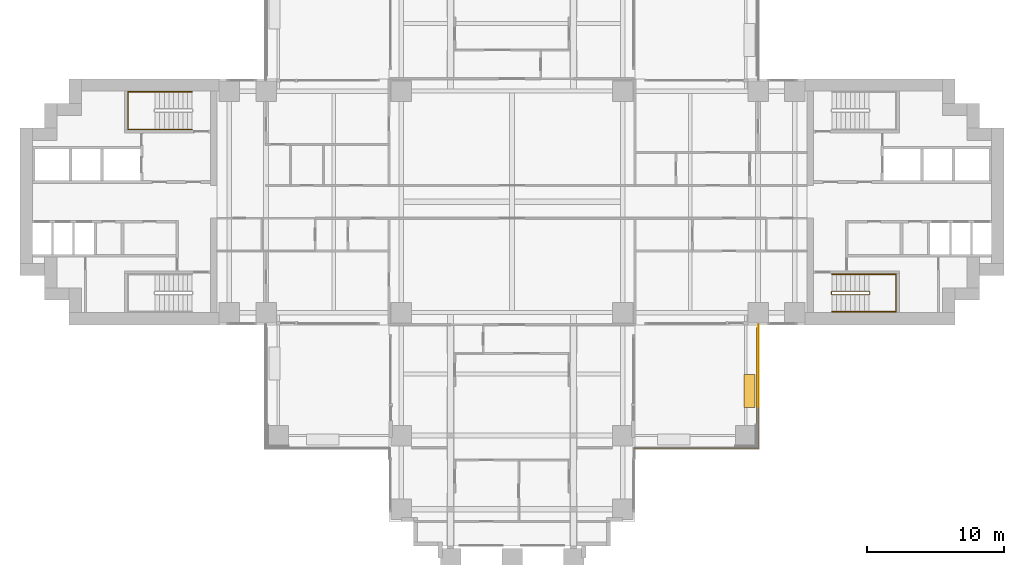
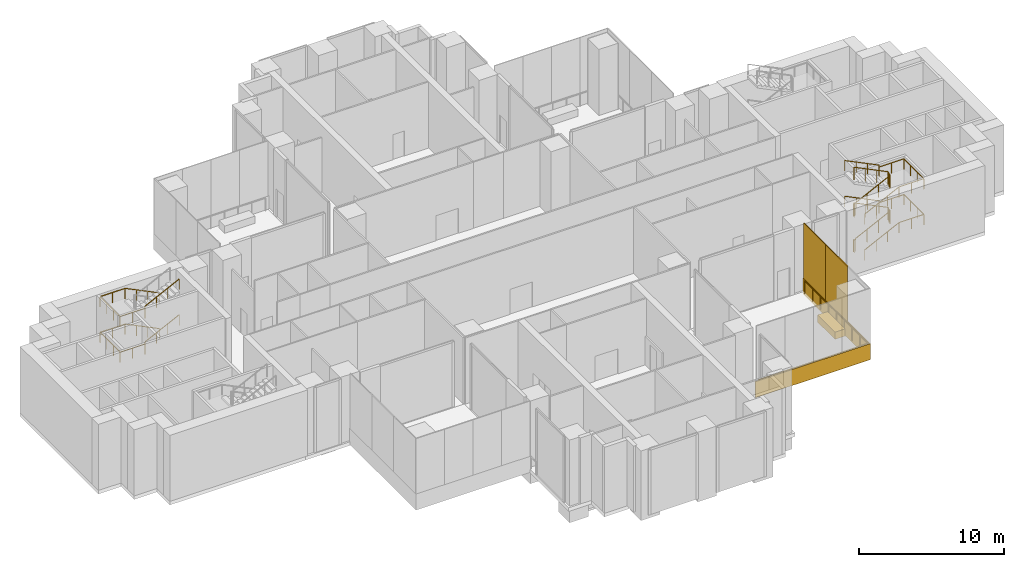
# One storey, part 15 of 17: 6 railings, 4 coverings.
"""IFC4 building model written with IfcOpenShell, lengths in metres."""

from ifc_helpers import new_model, si_unit, direction, frame, origin, origin_2d, place, context, subcontext, project, spatial, polyline, rectangle, outline, extrude, material, layer, layer_set, type_object, element, save


model = new_model("IFC4")

# Units and contexts
model_context = context("Model", 3, precision=1e-05, world=origin(), true_north=direction((0.0, 1.0)))
body_context = subcontext(model_context, "Body", "Model", "MODEL_VIEW")
ifc_project = project(units=[si_unit("LENGTHUNIT", "METRE"), si_unit("AREAUNIT", "SQUARE_METRE"), si_unit("VOLUMEUNIT", "CUBIC_METRE"), si_unit("PLANEANGLEUNIT", "RADIAN"), si_unit("MASSUNIT", "GRAM", prefix="KILO")], contexts=[model_context])

# Site, building, storey
site_placement = place(None, origin())
site = spatial("IfcSite", under=ifc_project, at=site_placement, CompositionType="ELEMENT")
building_placement = place(site_placement, origin())
building = spatial("IfcBuilding", under=site, at=building_placement, Name="Perihelion Cross Residences", CompositionType="ELEMENT")
storey_placement = place(building_placement, frame((0.0, 0.0, 21.0)))
storey = spatial("IfcBuildingStorey", under=building, at=storey_placement, Name="L02", CompositionType="ELEMENT", Elevation=21.0)

# Railing
ifc_material_1 = material(Name="Bronze anodised aluminium", Category="aluminium")
railing_type_1 = type_object("IfcRailingType", Name="Balcony guard 1100", PredefinedType="GUARDRAIL", material=ifc_material_1)
railing_1_placement = place(storey_placement, frame((17.93994140625, -9.25, 0.0)))
element("IfcRailing", 1, at=railing_1_placement, inside=storey, type_object=railing_type_1, Name="Guard GU1 L02 pocket south-east 1", PredefinedType="GUARDRAIL", context=body_context, shape_type="SweptSolid", body=[
    extrude(rectangle(XDim=0.048095703125, YDim=0.048095703125, at=origin_2d()), frame((0.0, 0.0, 1.076171875), z_axis=(0.0, -1.0, 0.0), x_axis=(1.0, 0.0, 0.0)), (0.0, 0.0, 1.0), 8.68994140625),
    extrude(rectangle(XDim=0.048095703125, YDim=0.048095703125, at=origin_2d()), frame((0.0, -8.68994140625, 1.076171875), z_axis=(-1.0, 0.0, 0.0), x_axis=(0.0, -1.0, 0.0)), (0.0, 0.0, 1.0), 8.68994140625),
    extrude(rectangle(XDim=0.0419921875, YDim=0.0419921875, at=origin_2d()), origin(), (0.0, 0.0, 1.0), 1.052001953125),
    extrude(rectangle(XDim=0.0419921875, YDim=0.0419921875, at=origin_2d()), frame((0.0, -1.086181640625, 0.0)), (0.0, 0.0, 1.0), 1.052001953125),
    extrude(rectangle(XDim=0.0419921875, YDim=0.0419921875, at=origin_2d()), frame((0.0, -2.17236328125, 0.0)), (0.0, 0.0, 1.0), 1.052001953125),
    extrude(rectangle(XDim=0.0419921875, YDim=0.0419921875, at=origin_2d()), frame((0.0, -3.2587890625, 0.0)), (0.0, 0.0, 1.0), 1.052001953125),
    extrude(rectangle(XDim=0.0419921875, YDim=0.0419921875, at=origin_2d()), frame((0.0, -4.344970703125, 0.0)), (0.0, 0.0, 1.0), 1.052001953125),
    extrude(rectangle(XDim=0.0419921875, YDim=0.0419921875, at=origin_2d()), frame((0.0, -5.43115234375, 0.0)), (0.0, 0.0, 1.0), 1.052001953125),
    extrude(rectangle(XDim=0.0419921875, YDim=0.0419921875, at=origin_2d()), frame((0.0, -6.517578125, 0.0)), (0.0, 0.0, 1.0), 1.052001953125),
    extrude(rectangle(XDim=0.0419921875, YDim=0.0419921875, at=origin_2d()), frame((0.0, -7.603759765625, 0.0)), (0.0, 0.0, 1.0), 1.052001953125),
    extrude(rectangle(XDim=0.0419921875, YDim=0.0419921875, at=origin_2d()), frame((0.0, -8.68994140625, 0.0)), (0.0, 0.0, 1.0), 1.052001953125),
    extrude(rectangle(XDim=0.0419921875, YDim=0.0419921875, at=origin_2d()), frame((-1.086181640625, -8.68994140625, 0.0)), (0.0, 0.0, 1.0), 1.052001953125),
    extrude(rectangle(XDim=0.0419921875, YDim=0.0419921875, at=origin_2d()), frame((-2.17236328125, -8.68994140625, 0.0)), (0.0, 0.0, 1.0), 1.052001953125),
    extrude(rectangle(XDim=0.0419921875, YDim=0.0419921875, at=origin_2d()), frame((-3.2587890625, -8.68994140625, 0.0)), (0.0, 0.0, 1.0), 1.052001953125),
    extrude(rectangle(XDim=0.0419921875, YDim=0.0419921875, at=origin_2d()), frame((-4.344970703125, -8.68994140625, 0.0)), (0.0, 0.0, 1.0), 1.052001953125),
    extrude(rectangle(XDim=0.0419921875, YDim=0.0419921875, at=origin_2d()), frame((-5.43115234375, -8.68994140625, 0.0)), (0.0, 0.0, 1.0), 1.052001953125),
    extrude(rectangle(XDim=0.0419921875, YDim=0.0419921875, at=origin_2d()), frame((-6.517578125, -8.68994140625, 0.0)), (0.0, 0.0, 1.0), 1.052001953125),
    extrude(rectangle(XDim=0.0419921875, YDim=0.0419921875, at=origin_2d()), frame((-7.603759765625, -8.68994140625, 0.0)), (0.0, 0.0, 1.0), 1.052001953125),
    extrude(rectangle(XDim=0.0419921875, YDim=0.0419921875, at=origin_2d()), frame((-8.68994140625, -8.68994140625, 0.0)), (0.0, 0.0, 1.0), 1.052001953125),
])

# Coverings
ifc_material_2 = material(Name="Precast concrete C40/50", Category="concrete")
covering_type_1 = type_object("IfcCoveringType", Name="Planter box 2400", PredefinedType="USERDEFINED", material=ifc_material_2)
covering_1_placement = place(storey_placement, frame((17.389892578125, -13.85009765625, 0.0), z_axis=(0.0, 0.0, 1.0), x_axis=(0.0, -1.0, 0.0)))
element("IfcCovering", 2, at=covering_1_placement, inside=storey, type_object=covering_type_1, Name="Planter PT1 L02 pocket south-east 1", ObjectType="PLANTER", PredefinedType="USERDEFINED", context=body_context, shape_type="SweptSolid", body=[
    extrude(rectangle(XDim=2.39990234375, YDim=0.800048828125, at=origin_2d()), origin(), (0.0, 0.0, 1.0), 0.60009765625),
])
ifc_material_3 = material(Name="Bronze anodised aluminium", Category="aluminium")
ifc_layer_1 = layer(ifc_material_3, 0.070068359375)
ifc_layer_set_1 = layer_set([ifc_layer_1], Name="Pocket fascia 1350")
covering_type_2 = type_object("IfcCoveringType", Name="Pocket fascia 1350", PredefinedType="CLADDING", material=ifc_layer_set_1)
covering_2_placement = place(storey_placement, frame((0.0, 0.0, -0.25)))
element("IfcCovering", 3, at=covering_2_placement, inside=storey, type_object=covering_type_2, Name="Fascia BF2 L02 pocket south-east 1", PredefinedType="CLADDING", context=body_context, shape_type="SweptSolid", body=[
    extrude(outline(polyline([(8.929931640625, -18.070068359375), (18.070068359375, -18.070068359375), (18.070068359375, -8.929931640625), (18.0, -8.929931640625), (18.0, -9.0), (18.0, -9.0), (18.0, -18.0), (9.0, -18.0), (9.0, -18.0), (8.929931640625, -18.0), (8.929931640625, -18.070068359375)])), origin(), (0.0, 0.0, 1.0), 1.35009765625),
])
ifc_material_4 = material(Name="Bronze perforated aluminium", Category="aluminium")
ifc_layer_2 = layer(ifc_material_4, 0.070068359375)
ifc_layer_set_2 = layer_set([ifc_layer_2], Name="Pocket solar screen, bronze perforated")
covering_type_3 = type_object("IfcCoveringType", Name="Pocket solar screen, bronze perforated", PredefinedType="CLADDING", material=ifc_layer_set_2)
covering_3_placement = place(storey_placement, frame((0.0, 0.0, 1.10009765625)))
element("IfcCovering", 4, at=covering_3_placement, inside=storey, type_object=covering_type_3, Name="Solar screen PS1 L02 pocket south-east no. 2", PredefinedType="CLADDING", context=body_context, shape_type="SweptSolid", body=[
    extrude(outline(polyline([(18.070068359375, -15.0), (18.070068359375, -12.0), (18.0, -12.0), (18.0, -15.0), (18.070068359375, -15.0)])), origin(), (0.0, 0.0, 1.0), 4.64990234375),
])
covering_4_placement = place(storey_placement, frame((0.0, 0.0, 1.10009765625)))
element("IfcCovering", 5, at=covering_4_placement, inside=storey, type_object=covering_type_3, Name="Solar screen PS1 L02 pocket south-east no. 3", PredefinedType="CLADDING", context=body_context, shape_type="SweptSolid", body=[
    extrude(outline(polyline([(18.070068359375, -12.0), (18.070068359375, -9.0), (18.0, -9.0), (18.0, -12.0), (18.070068359375, -12.0)])), origin(), (0.0, 0.0, 1.0), 4.64990234375),
])

# Railings
ifc_material_5 = material(Name="Stainless steel", Category="steel")
railing_type_2 = type_object("IfcRailingType", Name="Stair guard 1100", PredefinedType="GUARDRAIL", material=ifc_material_5)
railing_2_placement = place(storey_placement, frame((23.35009765625, -6.60009765625, 0.0)))
element("IfcRailing", 6, at=railing_2_placement, inside=storey, type_object=railing_type_2, Name="L02 ST-E2 stair guard 1", PredefinedType="GUARDRAIL", context=body_context, shape_type="SweptSolid", body=[
    extrude(rectangle(XDim=0.048095703125, YDim=0.048095703125, at=origin_2d()), frame((0.0, 0.0, 1.076171875), z_axis=(0.0, -1.0, 0.0), x_axis=(1.0, 0.0, 0.0)), (0.0, 0.0, 1.0), 0.14990234375),
    extrude(rectangle(XDim=0.048095703125, YDim=0.048095703125, at=origin_2d()), frame((0.0, -0.14990234375, 1.076171875), z_axis=(0.275041040955, -0.276389281352, 0.920848191041), x_axis=(0.708833529934, 0.705375805398, 0.0)), (0.0, 0.0, 1.0), 0.18115234375),
    extrude(rectangle(XDim=0.048095703125, YDim=0.048095703125, at=origin_2d()), frame((0.0498046875, -0.199951171875, 1.24267578125), z_axis=(0.897945078525, 0.0, 0.440107527717), x_axis=(0.0, 1.0, 0.0)), (0.0, 0.0, 1.0), 3.029296875),
    extrude(rectangle(XDim=0.048095703125, YDim=0.048095703125, at=origin_2d()), frame((2.77001953125, -0.199951171875, 2.576171875), z_axis=(0.705375805398, 0.708833529934, 0.0), x_axis=(-0.708833529934, 0.705375805398, 0.0)), (0.0, 0.0, 1.0), 0.070556640625),
    extrude(rectangle(XDim=0.048095703125, YDim=0.048095703125, at=origin_2d()), frame((2.81982421875, -0.14990234375, 2.576171875), z_axis=(0.0, 1.0, 0.0), x_axis=(-1.0, 0.0, 0.0)), (0.0, 0.0, 1.0), 0.14990234375),
    extrude(rectangle(XDim=0.048095703125, YDim=0.048095703125, at=origin_2d()), frame((2.81982421875, 0.0, 2.576171875), z_axis=(-0.275041040955, 0.276389281352, 0.920848191041), x_axis=(-0.708833529934, -0.705375805398, 0.0)), (0.0, 0.0, 1.0), 0.18115234375),
    extrude(rectangle(XDim=0.048095703125, YDim=0.048095703125, at=origin_2d()), frame((2.77001953125, 0.050048828125, 2.74267578125), z_axis=(-0.897945078525, 0.0, 0.440107527717), x_axis=(0.0, -1.0, 0.0)), (0.0, 0.0, 1.0), 3.029296875),
    extrude(rectangle(XDim=0.048095703125, YDim=0.048095703125, at=origin_2d()), frame((0.0498046875, 0.050048828125, 4.076171875), z_axis=(-0.241699205484, -0.970351222016, 0.0), x_axis=(0.970351222016, -0.241699205484, 0.0)), (0.0, 0.0, 1.0), 0.2060546875),
    extrude(rectangle(XDim=0.048095703125, YDim=0.048095703125, at=origin_2d()), frame((0.0, -0.14990234375, 4.076171875), z_axis=(0.0, 1.0, 0.0), x_axis=(-1.0, 0.0, 0.0)), (0.0, 0.0, 1.0), 0.14990234375),
    extrude(rectangle(XDim=0.048095703125, YDim=0.048095703125, at=origin_2d()), frame((0.0, 0.0, 4.076171875), z_axis=(0.1878875253, -0.754313153044, 0.629054802844), x_axis=(0.970351222016, 0.241699205484, 0.0)), (0.0, 0.0, 1.0), 0.26513671875),
    extrude(rectangle(XDim=0.048095703125, YDim=0.048095703125, at=origin_2d()), frame((0.0498046875, -0.199951171875, 4.24267578125), z_axis=(0.897945078525, 0.0, 0.440107527717), x_axis=(0.0, 1.0, 0.0)), (0.0, 0.0, 1.0), 3.029296875),
    extrude(rectangle(XDim=0.048095703125, YDim=0.048095703125, at=origin_2d()), frame((2.77001953125, -0.199951171875, 5.576171875), z_axis=(0.705375805398, 0.708833529934, 0.0), x_axis=(-0.708833529934, 0.705375805398, 0.0)), (0.0, 0.0, 1.0), 0.070556640625),
    extrude(rectangle(XDim=0.048095703125, YDim=0.048095703125, at=origin_2d()), frame((2.81982421875, -0.14990234375, 5.576171875), z_axis=(0.0, 1.0, 0.0), x_axis=(-1.0, 0.0, 0.0)), (0.0, 0.0, 1.0), 0.14990234375),
    extrude(rectangle(XDim=0.048095703125, YDim=0.048095703125, at=origin_2d()), frame((2.81982421875, 0.0, 5.576171875), z_axis=(-0.275041040955, 0.276389281352, 0.920848191041), x_axis=(-0.708833529934, -0.705375805398, 0.0)), (0.0, 0.0, 1.0), 0.18115234375),
    extrude(rectangle(XDim=0.048095703125, YDim=0.048095703125, at=origin_2d()), frame((2.77001953125, 0.050048828125, 5.74267578125), z_axis=(-0.897945078525, 0.0, 0.440107527717), x_axis=(0.0, -1.0, 0.0)), (0.0, 0.0, 1.0), 3.029296875),
    extrude(rectangle(XDim=0.0419921875, YDim=0.0419921875, at=origin_2d()), origin(), (0.0, 0.0, 1.0), 1.052001953125),
    extrude(rectangle(XDim=0.0419921875, YDim=0.0419921875, at=origin_2d()), frame((0.0, -0.14990234375, 0.0)), (0.0, 0.0, 1.0), 1.052001953125),
    extrude(rectangle(XDim=0.0419921875, YDim=0.0419921875, at=origin_2d()), frame((0.0498046875, -0.199951171875, 0.166748046875)), (0.0, 0.0, 1.0), 1.052001953125),
    extrude(rectangle(XDim=0.0419921875, YDim=0.0419921875, at=origin_2d()), frame((0.95654296875, -0.199951171875, 0.611083984375)), (0.0, 0.0, 1.0), 1.052001953125),
    extrude(rectangle(XDim=0.0419921875, YDim=0.0419921875, at=origin_2d()), frame((1.86328125, -0.199951171875, 1.0556640625)), (0.0, 0.0, 1.0), 1.052001953125),
    extrude(rectangle(XDim=0.0419921875, YDim=0.0419921875, at=origin_2d()), frame((2.77001953125, -0.199951171875, 1.5)), (0.0, 0.0, 1.0), 1.052001953125),
    extrude(rectangle(XDim=0.0419921875, YDim=0.0419921875, at=origin_2d()), frame((2.81982421875, -0.14990234375, 1.5)), (0.0, 0.0, 1.0), 1.052001953125),
    extrude(rectangle(XDim=0.0419921875, YDim=0.0419921875, at=origin_2d()), frame((2.81982421875, 0.0, 1.5)), (0.0, 0.0, 1.0), 1.052001953125),
    extrude(rectangle(XDim=0.0419921875, YDim=0.0419921875, at=origin_2d()), frame((2.77001953125, 0.050048828125, 1.666748046875)), (0.0, 0.0, 1.0), 1.052001953125),
    extrude(rectangle(XDim=0.0419921875, YDim=0.0419921875, at=origin_2d()), frame((1.86328125, 0.050048828125, 2.111083984375)), (0.0, 0.0, 1.0), 1.052001953125),
    extrude(rectangle(XDim=0.0419921875, YDim=0.0419921875, at=origin_2d()), frame((0.95654296875, 0.050048828125, 2.5556640625)), (0.0, 0.0, 1.0), 1.052001953125),
    extrude(rectangle(XDim=0.0419921875, YDim=0.0419921875, at=origin_2d()), frame((0.0498046875, 0.050048828125, 3.0)), (0.0, 0.0, 1.0), 1.052001953125),
    extrude(rectangle(XDim=0.0419921875, YDim=0.0419921875, at=origin_2d()), frame((0.0, -0.14990234375, 3.0)), (0.0, 0.0, 1.0), 1.052001953125),
    extrude(rectangle(XDim=0.0419921875, YDim=0.0419921875, at=origin_2d()), frame((0.0, 0.0, 3.0)), (0.0, 0.0, 1.0), 1.052001953125),
    extrude(rectangle(XDim=0.0419921875, YDim=0.0419921875, at=origin_2d()), frame((0.0498046875, -0.199951171875, 3.166748046875)), (0.0, 0.0, 1.0), 1.052001953125),
    extrude(rectangle(XDim=0.0419921875, YDim=0.0419921875, at=origin_2d()), frame((0.95654296875, -0.199951171875, 3.611083984375)), (0.0, 0.0, 1.0), 1.052001953125),
    extrude(rectangle(XDim=0.0419921875, YDim=0.0419921875, at=origin_2d()), frame((1.86328125, -0.199951171875, 4.0556640625)), (0.0, 0.0, 1.0), 1.052001953125),
    extrude(rectangle(XDim=0.0419921875, YDim=0.0419921875, at=origin_2d()), frame((2.77001953125, -0.199951171875, 4.5)), (0.0, 0.0, 1.0), 1.052001953125),
    extrude(rectangle(XDim=0.0419921875, YDim=0.0419921875, at=origin_2d()), frame((2.81982421875, -0.14990234375, 4.5)), (0.0, 0.0, 1.0), 1.052001953125),
    extrude(rectangle(XDim=0.0419921875, YDim=0.0419921875, at=origin_2d()), frame((2.81982421875, 0.0, 4.5)), (0.0, 0.0, 1.0), 1.052001953125),
    extrude(rectangle(XDim=0.0419921875, YDim=0.0419921875, at=origin_2d()), frame((2.77001953125, 0.050048828125, 4.666748046875)), (0.0, 0.0, 1.0), 1.052001953125),
    extrude(rectangle(XDim=0.0419921875, YDim=0.0419921875, at=origin_2d()), frame((1.86328125, 0.050048828125, 5.111083984375)), (0.0, 0.0, 1.0), 1.052001953125),
    extrude(rectangle(XDim=0.0419921875, YDim=0.0419921875, at=origin_2d()), frame((0.95654296875, 0.050048828125, 5.5556640625)), (0.0, 0.0, 1.0), 1.052001953125),
    extrude(rectangle(XDim=0.0419921875, YDim=0.0419921875, at=origin_2d()), frame((0.0498046875, 0.050048828125, 6.0)), (0.0, 0.0, 1.0), 1.052001953125),
])
ifc_material_6 = material(Name="Stainless steel", Category="steel")
railing_type_3 = type_object("IfcRailingType", Name="Stair handrail 900", PredefinedType="HANDRAIL", material=ifc_material_6)
railing_3_placement = place(storey_placement, frame((23.39990234375, -8.050048828125, 0.166748046875)))
element("IfcRailing", 7, at=railing_3_placement, inside=storey, type_object=railing_type_3, Name="L02 ST-E2 stair handrail 1", PredefinedType="HANDRAIL", context=body_context, shape_type="SweptSolid", body=[
    extrude(rectangle(XDim=0.048095703125, YDim=0.048095703125, at=origin_2d()), frame((0.0, 0.0, 0.8759765625), z_axis=(0.897945078525, 0.0, 0.440107527717), x_axis=(0.0, 1.0, 0.0)), (0.0, 0.0, 1.0), 3.029296875),
    extrude(rectangle(XDim=0.048095703125, YDim=0.048095703125, at=origin_2d()), frame((2.72021484375, 0.0, 2.208984375), z_axis=(1.0, 0.0, 0.0), x_axis=(0.0, 1.0, 0.0)), (0.0, 0.0, 1.0), 1.97998046875),
    extrude(rectangle(XDim=0.048095703125, YDim=0.048095703125, at=origin_2d()), frame((4.7001953125, 0.0, 2.208984375), z_axis=(0.0, 1.0, 0.0), x_axis=(-1.0, 0.0, 0.0)), (0.0, 0.0, 1.0), 2.75),
    extrude(rectangle(XDim=0.048095703125, YDim=0.048095703125, at=origin_2d()), frame((4.7001953125, 2.75, 2.208984375), z_axis=(-1.0, 0.0, 0.0), x_axis=(0.0, -1.0, 0.0)), (0.0, 0.0, 1.0), 1.97998046875),
    extrude(rectangle(XDim=0.048095703125, YDim=0.048095703125, at=origin_2d()), frame((2.72021484375, 2.75, 2.208984375), z_axis=(0.0, 0.0, 1.0), x_axis=(1.0, 0.0, 0.0)), (0.0, 0.0, 1.0), 0.166748046875),
    extrude(rectangle(XDim=0.048095703125, YDim=0.048095703125, at=origin_2d()), frame((2.72021484375, 2.75, 2.3759765625), z_axis=(-0.897945078525, 0.0, 0.440107527717), x_axis=(0.0, -1.0, 0.0)), (0.0, 0.0, 1.0), 3.029296875),
    extrude(rectangle(XDim=0.0419921875, YDim=0.0419921875, at=origin_2d()), origin(), (0.0, 0.0, 1.0), 0.851806640625),
    extrude(rectangle(XDim=0.0419921875, YDim=0.0419921875, at=origin_2d()), frame((0.90673828125, 0.0, 0.4443359375)), (0.0, 0.0, 1.0), 0.851806640625),
    extrude(rectangle(XDim=0.0419921875, YDim=0.0419921875, at=origin_2d()), frame((1.8134765625, 0.0, 0.888916015625)), (0.0, 0.0, 1.0), 0.851806640625),
    extrude(rectangle(XDim=0.0419921875, YDim=0.0419921875, at=origin_2d()), frame((2.72021484375, 0.0, 1.333251953125)), (0.0, 0.0, 1.0), 0.851806640625),
    extrude(rectangle(XDim=0.0419921875, YDim=0.0419921875, at=origin_2d()), frame((3.710205078125, 0.0, 1.333251953125)), (0.0, 0.0, 1.0), 0.851806640625),
    extrude(rectangle(XDim=0.0419921875, YDim=0.0419921875, at=origin_2d()), frame((4.7001953125, 0.0, 1.333251953125)), (0.0, 0.0, 1.0), 0.851806640625),
    extrude(rectangle(XDim=0.0419921875, YDim=0.0419921875, at=origin_2d()), frame((4.7001953125, 0.916748046875, 1.333251953125)), (0.0, 0.0, 1.0), 0.851806640625),
    extrude(rectangle(XDim=0.0419921875, YDim=0.0419921875, at=origin_2d()), frame((4.7001953125, 1.833251953125, 1.333251953125)), (0.0, 0.0, 1.0), 0.851806640625),
    extrude(rectangle(XDim=0.0419921875, YDim=0.0419921875, at=origin_2d()), frame((4.7001953125, 2.75, 1.333251953125)), (0.0, 0.0, 1.0), 0.851806640625),
    extrude(rectangle(XDim=0.0419921875, YDim=0.0419921875, at=origin_2d()), frame((3.710205078125, 2.75, 1.333251953125)), (0.0, 0.0, 1.0), 0.851806640625),
    extrude(rectangle(XDim=0.0419921875, YDim=0.0419921875, at=origin_2d()), frame((2.72021484375, 2.75, 1.333251953125)), (0.0, 0.0, 1.0), 0.851806640625),
    extrude(rectangle(XDim=0.0419921875, YDim=0.0419921875, at=origin_2d()), frame((2.72021484375, 2.75, 1.5)), (0.0, 0.0, 1.0), 0.851806640625),
    extrude(rectangle(XDim=0.0419921875, YDim=0.0419921875, at=origin_2d()), frame((1.8134765625, 2.75, 1.9443359375)), (0.0, 0.0, 1.0), 0.851806640625),
    extrude(rectangle(XDim=0.0419921875, YDim=0.0419921875, at=origin_2d()), frame((0.90673828125, 2.75, 2.388916015625)), (0.0, 0.0, 1.0), 0.851806640625),
    extrude(rectangle(XDim=0.0419921875, YDim=0.0419921875, at=origin_2d()), frame((0.0, 2.75, 2.833251953125)), (0.0, 0.0, 1.0), 0.851806640625),
])
railing_4_placement = place(storey_placement, frame((23.39990234375, -8.050048828125, 3.166748046875)))
element("IfcRailing", 8, at=railing_4_placement, inside=storey, type_object=railing_type_3, Name="L02 ST-E2 stair handrail 2", PredefinedType="HANDRAIL", context=body_context, shape_type="SweptSolid", body=[
    extrude(rectangle(XDim=0.048095703125, YDim=0.048095703125, at=origin_2d()), frame((0.0, 0.0, 0.8759765625), z_axis=(0.897945078525, 0.0, 0.440107527717), x_axis=(0.0, 1.0, 0.0)), (0.0, 0.0, 1.0), 3.029296875),
    extrude(rectangle(XDim=0.048095703125, YDim=0.048095703125, at=origin_2d()), frame((2.72021484375, 0.0, 2.208984375), z_axis=(1.0, 0.0, 0.0), x_axis=(0.0, 1.0, 0.0)), (0.0, 0.0, 1.0), 1.97998046875),
    extrude(rectangle(XDim=0.048095703125, YDim=0.048095703125, at=origin_2d()), frame((4.7001953125, 0.0, 2.208984375), z_axis=(0.0, 1.0, 0.0), x_axis=(-1.0, 0.0, 0.0)), (0.0, 0.0, 1.0), 2.75),
    extrude(rectangle(XDim=0.048095703125, YDim=0.048095703125, at=origin_2d()), frame((4.7001953125, 2.75, 2.208984375), z_axis=(-1.0, 0.0, 0.0), x_axis=(0.0, -1.0, 0.0)), (0.0, 0.0, 1.0), 1.97998046875),
    extrude(rectangle(XDim=0.048095703125, YDim=0.048095703125, at=origin_2d()), frame((2.72021484375, 2.75, 2.208984375), z_axis=(0.0, 0.0, 1.0), x_axis=(1.0, 0.0, 0.0)), (0.0, 0.0, 1.0), 0.166748046875),
    extrude(rectangle(XDim=0.048095703125, YDim=0.048095703125, at=origin_2d()), frame((2.72021484375, 2.75, 2.3759765625), z_axis=(-0.897945078525, 0.0, 0.440107527717), x_axis=(0.0, -1.0, 0.0)), (0.0, 0.0, 1.0), 3.029296875),
    extrude(rectangle(XDim=0.0419921875, YDim=0.0419921875, at=origin_2d()), origin(), (0.0, 0.0, 1.0), 0.851806640625),
    extrude(rectangle(XDim=0.0419921875, YDim=0.0419921875, at=origin_2d()), frame((0.90673828125, 0.0, 0.4443359375)), (0.0, 0.0, 1.0), 0.851806640625),
    extrude(rectangle(XDim=0.0419921875, YDim=0.0419921875, at=origin_2d()), frame((1.8134765625, 0.0, 0.888916015625)), (0.0, 0.0, 1.0), 0.851806640625),
    extrude(rectangle(XDim=0.0419921875, YDim=0.0419921875, at=origin_2d()), frame((2.72021484375, 0.0, 1.333251953125)), (0.0, 0.0, 1.0), 0.851806640625),
    extrude(rectangle(XDim=0.0419921875, YDim=0.0419921875, at=origin_2d()), frame((3.710205078125, 0.0, 1.333251953125)), (0.0, 0.0, 1.0), 0.851806640625),
    extrude(rectangle(XDim=0.0419921875, YDim=0.0419921875, at=origin_2d()), frame((4.7001953125, 0.0, 1.333251953125)), (0.0, 0.0, 1.0), 0.851806640625),
    extrude(rectangle(XDim=0.0419921875, YDim=0.0419921875, at=origin_2d()), frame((4.7001953125, 0.916748046875, 1.333251953125)), (0.0, 0.0, 1.0), 0.851806640625),
    extrude(rectangle(XDim=0.0419921875, YDim=0.0419921875, at=origin_2d()), frame((4.7001953125, 1.833251953125, 1.333251953125)), (0.0, 0.0, 1.0), 0.851806640625),
    extrude(rectangle(XDim=0.0419921875, YDim=0.0419921875, at=origin_2d()), frame((4.7001953125, 2.75, 1.333251953125)), (0.0, 0.0, 1.0), 0.851806640625),
    extrude(rectangle(XDim=0.0419921875, YDim=0.0419921875, at=origin_2d()), frame((3.710205078125, 2.75, 1.333251953125)), (0.0, 0.0, 1.0), 0.851806640625),
    extrude(rectangle(XDim=0.0419921875, YDim=0.0419921875, at=origin_2d()), frame((2.72021484375, 2.75, 1.333251953125)), (0.0, 0.0, 1.0), 0.851806640625),
    extrude(rectangle(XDim=0.0419921875, YDim=0.0419921875, at=origin_2d()), frame((2.72021484375, 2.75, 1.5)), (0.0, 0.0, 1.0), 0.851806640625),
    extrude(rectangle(XDim=0.0419921875, YDim=0.0419921875, at=origin_2d()), frame((1.8134765625, 2.75, 1.9443359375)), (0.0, 0.0, 1.0), 0.851806640625),
    extrude(rectangle(XDim=0.0419921875, YDim=0.0419921875, at=origin_2d()), frame((0.90673828125, 2.75, 2.388916015625)), (0.0, 0.0, 1.0), 0.851806640625),
    extrude(rectangle(XDim=0.0419921875, YDim=0.0419921875, at=origin_2d()), frame((0.0, 2.75, 2.833251953125)), (0.0, 0.0, 1.0), 0.851806640625),
])
railing_5_placement = place(storey_placement, frame((-23.39990234375, 8.050048828125, 0.166748046875)))
element("IfcRailing", 9, at=railing_5_placement, inside=storey, type_object=railing_type_3, Name="L02 ST-W1 stair handrail 1", PredefinedType="HANDRAIL", context=body_context, shape_type="SweptSolid", body=[
    extrude(rectangle(XDim=0.048095703125, YDim=0.048095703125, at=origin_2d()), frame((0.0, 0.0, 0.8759765625), z_axis=(-0.897945078525, 0.0, 0.440107527717), x_axis=(0.0, -1.0, 0.0)), (0.0, 0.0, 1.0), 3.029296875),
    extrude(rectangle(XDim=0.048095703125, YDim=0.048095703125, at=origin_2d()), frame((-2.72021484375, 0.0, 2.208984375), z_axis=(-1.0, 0.0, 0.0), x_axis=(0.0, -1.0, 0.0)), (0.0, 0.0, 1.0), 1.97998046875),
    extrude(rectangle(XDim=0.048095703125, YDim=0.048095703125, at=origin_2d()), frame((-4.7001953125, 0.0, 2.208984375), z_axis=(0.0, -1.0, 0.0), x_axis=(1.0, 0.0, 0.0)), (0.0, 0.0, 1.0), 2.75),
    extrude(rectangle(XDim=0.048095703125, YDim=0.048095703125, at=origin_2d()), frame((-4.7001953125, -2.75, 2.208984375), z_axis=(1.0, 0.0, 0.0), x_axis=(0.0, 1.0, 0.0)), (0.0, 0.0, 1.0), 1.97998046875),
    extrude(rectangle(XDim=0.048095703125, YDim=0.048095703125, at=origin_2d()), frame((-2.72021484375, -2.75, 2.208984375), z_axis=(0.0, 0.0, 1.0), x_axis=(1.0, 0.0, 0.0)), (0.0, 0.0, 1.0), 0.166748046875),
    extrude(rectangle(XDim=0.048095703125, YDim=0.048095703125, at=origin_2d()), frame((-2.72021484375, -2.75, 2.3759765625), z_axis=(0.897945078525, 0.0, 0.440107527717), x_axis=(0.0, 1.0, 0.0)), (0.0, 0.0, 1.0), 3.029296875),
    extrude(rectangle(XDim=0.0419921875, YDim=0.0419921875, at=origin_2d()), origin(), (0.0, 0.0, 1.0), 0.851806640625),
    extrude(rectangle(XDim=0.0419921875, YDim=0.0419921875, at=origin_2d()), frame((-0.90673828125, 0.0, 0.4443359375)), (0.0, 0.0, 1.0), 0.851806640625),
    extrude(rectangle(XDim=0.0419921875, YDim=0.0419921875, at=origin_2d()), frame((-1.8134765625, 0.0, 0.888916015625)), (0.0, 0.0, 1.0), 0.851806640625),
    extrude(rectangle(XDim=0.0419921875, YDim=0.0419921875, at=origin_2d()), frame((-2.72021484375, 0.0, 1.333251953125)), (0.0, 0.0, 1.0), 0.851806640625),
    extrude(rectangle(XDim=0.0419921875, YDim=0.0419921875, at=origin_2d()), frame((-3.710205078125, 0.0, 1.333251953125)), (0.0, 0.0, 1.0), 0.851806640625),
    extrude(rectangle(XDim=0.0419921875, YDim=0.0419921875, at=origin_2d()), frame((-4.7001953125, 0.0, 1.333251953125)), (0.0, 0.0, 1.0), 0.851806640625),
    extrude(rectangle(XDim=0.0419921875, YDim=0.0419921875, at=origin_2d()), frame((-4.7001953125, -0.916748046875, 1.333251953125)), (0.0, 0.0, 1.0), 0.851806640625),
    extrude(rectangle(XDim=0.0419921875, YDim=0.0419921875, at=origin_2d()), frame((-4.7001953125, -1.833251953125, 1.333251953125)), (0.0, 0.0, 1.0), 0.851806640625),
    extrude(rectangle(XDim=0.0419921875, YDim=0.0419921875, at=origin_2d()), frame((-4.7001953125, -2.75, 1.333251953125)), (0.0, 0.0, 1.0), 0.851806640625),
    extrude(rectangle(XDim=0.0419921875, YDim=0.0419921875, at=origin_2d()), frame((-3.710205078125, -2.75, 1.333251953125)), (0.0, 0.0, 1.0), 0.851806640625),
    extrude(rectangle(XDim=0.0419921875, YDim=0.0419921875, at=origin_2d()), frame((-2.72021484375, -2.75, 1.333251953125)), (0.0, 0.0, 1.0), 0.851806640625),
    extrude(rectangle(XDim=0.0419921875, YDim=0.0419921875, at=origin_2d()), frame((-2.72021484375, -2.75, 1.5)), (0.0, 0.0, 1.0), 0.851806640625),
    extrude(rectangle(XDim=0.0419921875, YDim=0.0419921875, at=origin_2d()), frame((-1.8134765625, -2.75, 1.9443359375)), (0.0, 0.0, 1.0), 0.851806640625),
    extrude(rectangle(XDim=0.0419921875, YDim=0.0419921875, at=origin_2d()), frame((-0.90673828125, -2.75, 2.388916015625)), (0.0, 0.0, 1.0), 0.851806640625),
    extrude(rectangle(XDim=0.0419921875, YDim=0.0419921875, at=origin_2d()), frame((0.0, -2.75, 2.833251953125)), (0.0, 0.0, 1.0), 0.851806640625),
])
railing_6_placement = place(storey_placement, frame((-23.39990234375, 8.050048828125, 3.166748046875)))
element("IfcRailing", 10, at=railing_6_placement, inside=storey, type_object=railing_type_3, Name="L02 ST-W1 stair handrail 2", PredefinedType="HANDRAIL", context=body_context, shape_type="SweptSolid", body=[
    extrude(rectangle(XDim=0.048095703125, YDim=0.048095703125, at=origin_2d()), frame((0.0, 0.0, 0.8759765625), z_axis=(-0.897945078525, 0.0, 0.440107527717), x_axis=(0.0, -1.0, 0.0)), (0.0, 0.0, 1.0), 3.029296875),
    extrude(rectangle(XDim=0.048095703125, YDim=0.048095703125, at=origin_2d()), frame((-2.72021484375, 0.0, 2.208984375), z_axis=(-1.0, 0.0, 0.0), x_axis=(0.0, -1.0, 0.0)), (0.0, 0.0, 1.0), 1.97998046875),
    extrude(rectangle(XDim=0.048095703125, YDim=0.048095703125, at=origin_2d()), frame((-4.7001953125, 0.0, 2.208984375), z_axis=(0.0, -1.0, 0.0), x_axis=(1.0, 0.0, 0.0)), (0.0, 0.0, 1.0), 2.75),
    extrude(rectangle(XDim=0.048095703125, YDim=0.048095703125, at=origin_2d()), frame((-4.7001953125, -2.75, 2.208984375), z_axis=(1.0, 0.0, 0.0), x_axis=(0.0, 1.0, 0.0)), (0.0, 0.0, 1.0), 1.97998046875),
    extrude(rectangle(XDim=0.048095703125, YDim=0.048095703125, at=origin_2d()), frame((-2.72021484375, -2.75, 2.208984375), z_axis=(0.0, 0.0, 1.0), x_axis=(1.0, 0.0, 0.0)), (0.0, 0.0, 1.0), 0.166748046875),
    extrude(rectangle(XDim=0.048095703125, YDim=0.048095703125, at=origin_2d()), frame((-2.72021484375, -2.75, 2.3759765625), z_axis=(0.897945078525, 0.0, 0.440107527717), x_axis=(0.0, 1.0, 0.0)), (0.0, 0.0, 1.0), 3.029296875),
    extrude(rectangle(XDim=0.0419921875, YDim=0.0419921875, at=origin_2d()), origin(), (0.0, 0.0, 1.0), 0.851806640625),
    extrude(rectangle(XDim=0.0419921875, YDim=0.0419921875, at=origin_2d()), frame((-0.90673828125, 0.0, 0.4443359375)), (0.0, 0.0, 1.0), 0.851806640625),
    extrude(rectangle(XDim=0.0419921875, YDim=0.0419921875, at=origin_2d()), frame((-1.8134765625, 0.0, 0.888916015625)), (0.0, 0.0, 1.0), 0.851806640625),
    extrude(rectangle(XDim=0.0419921875, YDim=0.0419921875, at=origin_2d()), frame((-2.72021484375, 0.0, 1.333251953125)), (0.0, 0.0, 1.0), 0.851806640625),
    extrude(rectangle(XDim=0.0419921875, YDim=0.0419921875, at=origin_2d()), frame((-3.710205078125, 0.0, 1.333251953125)), (0.0, 0.0, 1.0), 0.851806640625),
    extrude(rectangle(XDim=0.0419921875, YDim=0.0419921875, at=origin_2d()), frame((-4.7001953125, 0.0, 1.333251953125)), (0.0, 0.0, 1.0), 0.851806640625),
    extrude(rectangle(XDim=0.0419921875, YDim=0.0419921875, at=origin_2d()), frame((-4.7001953125, -0.916748046875, 1.333251953125)), (0.0, 0.0, 1.0), 0.851806640625),
    extrude(rectangle(XDim=0.0419921875, YDim=0.0419921875, at=origin_2d()), frame((-4.7001953125, -1.833251953125, 1.333251953125)), (0.0, 0.0, 1.0), 0.851806640625),
    extrude(rectangle(XDim=0.0419921875, YDim=0.0419921875, at=origin_2d()), frame((-4.7001953125, -2.75, 1.333251953125)), (0.0, 0.0, 1.0), 0.851806640625),
    extrude(rectangle(XDim=0.0419921875, YDim=0.0419921875, at=origin_2d()), frame((-3.710205078125, -2.75, 1.333251953125)), (0.0, 0.0, 1.0), 0.851806640625),
    extrude(rectangle(XDim=0.0419921875, YDim=0.0419921875, at=origin_2d()), frame((-2.72021484375, -2.75, 1.333251953125)), (0.0, 0.0, 1.0), 0.851806640625),
    extrude(rectangle(XDim=0.0419921875, YDim=0.0419921875, at=origin_2d()), frame((-2.72021484375, -2.75, 1.5)), (0.0, 0.0, 1.0), 0.851806640625),
    extrude(rectangle(XDim=0.0419921875, YDim=0.0419921875, at=origin_2d()), frame((-1.8134765625, -2.75, 1.9443359375)), (0.0, 0.0, 1.0), 0.851806640625),
    extrude(rectangle(XDim=0.0419921875, YDim=0.0419921875, at=origin_2d()), frame((-0.90673828125, -2.75, 2.388916015625)), (0.0, 0.0, 1.0), 0.851806640625),
    extrude(rectangle(XDim=0.0419921875, YDim=0.0419921875, at=origin_2d()), frame((0.0, -2.75, 2.833251953125)), (0.0, 0.0, 1.0), 0.851806640625),
])

save(model, "model.ifc")
